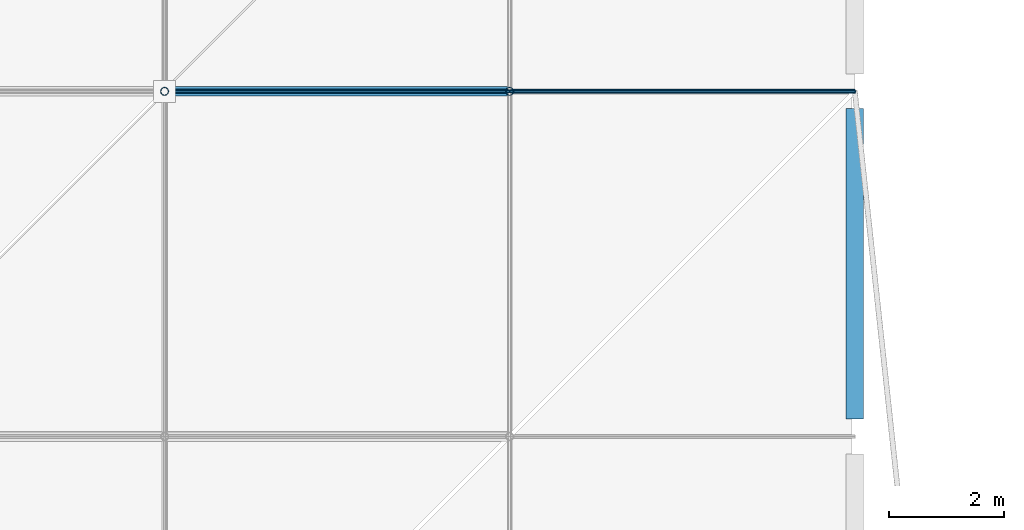
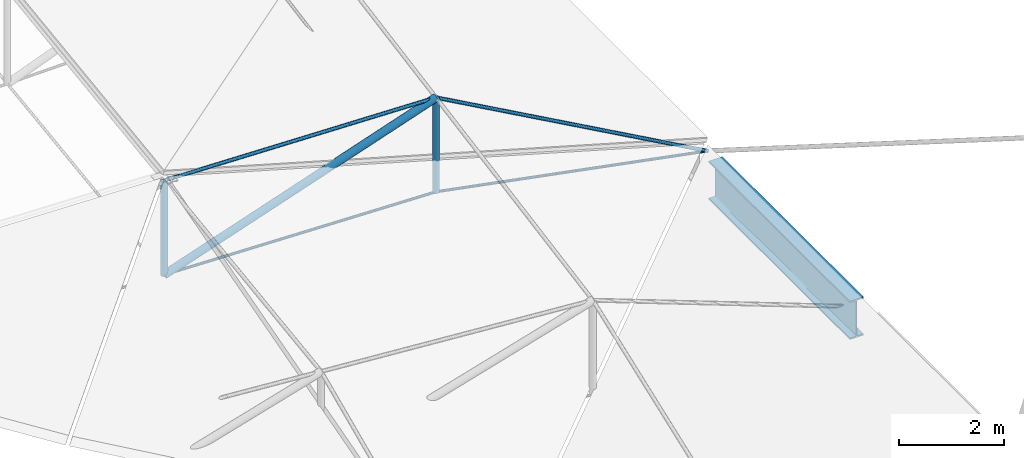
# One storey, part 36 of 132: 7 members, 1 beam.
"""IFC4 building model written with IfcOpenShell, lengths in metres."""

from ifc_helpers import new_model, si_unit, direction, frame, origin, origin_2d, place, context, subcontext, project, spatial, circle, hollow_circle, i_section, extrude, material, material_profile, profile_set, type_object, element, save


model = new_model("IFC4")

# Units and contexts
model_context = context("Model", 3, precision=1e-05, world=origin(), true_north=direction((0.0, 1.0)))
body_context = subcontext(model_context, "Body", "Model", "MODEL_VIEW")
ifc_project = project(units=[si_unit("LENGTHUNIT", "METRE"), si_unit("AREAUNIT", "SQUARE_METRE"), si_unit("VOLUMEUNIT", "CUBIC_METRE"), si_unit("PLANEANGLEUNIT", "RADIAN"), si_unit("MASSUNIT", "GRAM", prefix="KILO")], contexts=[model_context])

# Site, building, storey
site_placement = place(None, origin())
site = spatial("IfcSite", under=ifc_project, at=site_placement, CompositionType="ELEMENT")
building_placement = place(site_placement, origin())
building = spatial("IfcBuilding", under=site, at=building_placement, Name="Deido Ridge Mobility Hub", CompositionType="ELEMENT")
storey_placement = place(building_placement, frame((0.0, 0.0, 8.39990234375)))
storey = spatial("IfcBuildingStorey", under=building, at=storey_placement, Name="L02", CompositionType="ELEMENT", Elevation=8.39990234375)

# Beam
ifc_material_1 = material(Name="Steel S355J2 EN 10025-2", Category="steel")
ifc_material_profile_1 = material_profile(ifc_material_1, i_section(OverallWidth=0.300048828125, OverallDepth=0.89990234375, WebThickness=0.0185546875, FlangeThickness=0.034912109375, FilletRadius=0.027099609375, at=origin_2d()), Name="HEB 900")
ifc_profile_set_1 = profile_set([ifc_material_profile_1], Name="Steel S355J2 EN 10025-2")
beam_type = type_object("IfcBeamType", Name="BM-RING-HEB900", PredefinedType="USERDEFINED", material=ifc_profile_set_1)
beam_placement = place(storey_placement, frame((60.0, 6.300048828125, -0.449951171875), z_axis=(0.0, 1.0, 0.0), x_axis=(-1.0, 0.0, 0.0)))
element("IfcBeam", 1, at=beam_placement, inside=storey, type_object=beam_type, Name="Compression ring beam RB1", ObjectType="RING BEAM", PredefinedType="USERDEFINED", context=body_context, shape_type="SweptSolid", body=[
    extrude(i_section(OverallWidth=0.300048828125, OverallDepth=0.89990234375, WebThickness=0.0185546875, FlangeThickness=0.034912109375, FilletRadius=0.027099609375, at=origin_2d()), origin(), (0.0, 0.0, 1.0), 5.39990234375),
])

# Members
ifc_material_2 = material(Name="Steel S460M EN 10025-4", Category="steel")
ifc_material_profile_2 = material_profile(ifc_material_2, circle(Radius=0.030029296875, at=origin_2d()), Name="CABLE D60")
ifc_profile_set_2 = profile_set([ifc_material_profile_2], Name="Steel S460M EN 10025-4")
member_type_1 = type_object("IfcMemberType", Name="MEM-CBL-D60", PredefinedType="USERDEFINED", material=ifc_profile_set_2)
member_1_placement = place(storey_placement, frame((48.0, 12.0, 1.31005859375), z_axis=(0.999629695867, 0.0, -0.027211599387), x_axis=(0.0, 1.0, 0.0)))
element("IfcMember", 2, at=member_1_placement, inside=storey, type_object=member_type_1, Name="Saddle lower stabilizing cable CB3", ObjectType="TENSION CABLE", PredefinedType="USERDEFINED", context=body_context, shape_type="SweptSolid", body=[
    extrude(circle(Radius=0.030029296875, at=origin_2d()), origin(), (0.0, 0.0, 1.0), 6.002197265625),
])
member_2_placement = place(storey_placement, frame((54.0, 12.0, 1.146728515625), z_axis=(0.982221886645, 0.0, -0.187723641014), x_axis=(0.0, 1.0, 0.0)))
element("IfcMember", 3, at=member_2_placement, inside=storey, type_object=member_type_1, Name="Saddle lower stabilizing cable CB3", ObjectType="TENSION CABLE", PredefinedType="USERDEFINED", context=body_context, shape_type="SweptSolid", body=[
    extrude(circle(Radius=0.030029296875, at=origin_2d()), origin(), (0.0, 0.0, 1.0), 6.108642578125),
])
ifc_material_profile_3 = material_profile(ifc_material_2, circle(Radius=0.0380859375, at=origin_2d()), Name="CABLE D76")
ifc_profile_set_3 = profile_set([ifc_material_profile_3], Name="Steel S460M EN 10025-4")
member_type_2 = type_object("IfcMemberType", Name="MEM-CBL-D76", PredefinedType="USERDEFINED", material=ifc_profile_set_3)
member_3_placement = place(storey_placement, frame((48.0, 12.0, 3.510009765625), z_axis=(0.999629695867, 0.0, -0.027211599387), x_axis=(0.0, 1.0, 0.0)))
element("IfcMember", 4, at=member_3_placement, inside=storey, type_object=member_type_2, Name="Saddle upper longitudinal cable CB2", ObjectType="TENSION CABLE", PredefinedType="USERDEFINED", context=body_context, shape_type="SweptSolid", body=[
    extrude(circle(Radius=0.0380859375, at=origin_2d()), origin(), (0.0, 0.0, 1.0), 6.002197265625),
])
member_4_placement = place(storey_placement, frame((54.0, 12.0, 3.3466796875), z_axis=(0.873331313635, 0.0, -0.487126694633), x_axis=(0.0, 1.0, 0.0)))
element("IfcMember", 5, at=member_4_placement, inside=storey, type_object=member_type_2, Name="Saddle upper longitudinal cable CB2", ObjectType="TENSION CABLE", PredefinedType="USERDEFINED", context=body_context, shape_type="SweptSolid", body=[
    extrude(circle(Radius=0.0380859375, at=origin_2d()), origin(), (0.0, 0.0, 1.0), 6.870361328125),
])
ifc_material_3 = material(Name="Steel S355J2H EN 10210-1", Category="steel")
ifc_material_profile_4 = material_profile(ifc_material_3, hollow_circle(Radius=0.06982421875, WallThickness=0.00634765625, at=origin_2d()), Name="CHS 139.7x6.3")
ifc_profile_set_4 = profile_set([ifc_material_profile_4], Name="Steel S355J2H EN 10210-1")
member_type_3 = type_object("IfcMemberType", Name="MEM-STR-CHS140", PredefinedType="STRUT", material=ifc_profile_set_4)
for number, where, z_axis, x_axis, name in (
    (6, (48.0, 12.0, 1.31005859375), (0.0, 0.0, 1.0), (1.0, 0.0, 0.0), "Cable-net vertical spreader strut SR2"),
    (7, (54.0, 12.0, 1.146728515625), (0.0, 0.0, 1.0), (1.0, 0.0, 0.0), "Cable-net vertical spreader strut SR2"),
):
    element("IfcMember", number, at=place(storey_placement, frame(where, z_axis=z_axis, x_axis=x_axis)), inside=storey, type_object=member_type_3, Name=name, PredefinedType="STRUT", context=body_context, shape_type="SweptSolid", body=[
        extrude(hollow_circle(Radius=0.06982421875, WallThickness=0.00634765625, at=origin_2d()), origin(), (0.0, 0.0, 1.0), 2.199951171875),
    ])
ifc_material_profile_5 = material_profile(ifc_material_3, hollow_circle(Radius=0.084228515625, WallThickness=0.008056640625, at=origin_2d()), Name="CHS 168.3x8")
ifc_profile_set_5 = profile_set([ifc_material_profile_5], Name="Steel S355J2H EN 10210-1")
member_type_4 = type_object("IfcMemberType", Name="MEM-STR-CHS168", PredefinedType="STRUT", material=ifc_profile_set_5)
member_5_placement = place(storey_placement, frame((48.0, 12.0, 1.31005859375), z_axis=(0.946935147416, 0.0, 0.321424682607), x_axis=(0.0, 1.0, 0.0)))
element("IfcMember", 8, at=member_5_placement, inside=storey, type_object=member_type_4, Name="Saddle diagonal web strut SR1", PredefinedType="STRUT", context=body_context, shape_type="SweptSolid", body=[
    extrude(hollow_circle(Radius=0.084228515625, WallThickness=0.008056640625, at=origin_2d()), origin(), (0.0, 0.0, 1.0), 6.336181640625),
])

save(model, "model.ifc")
